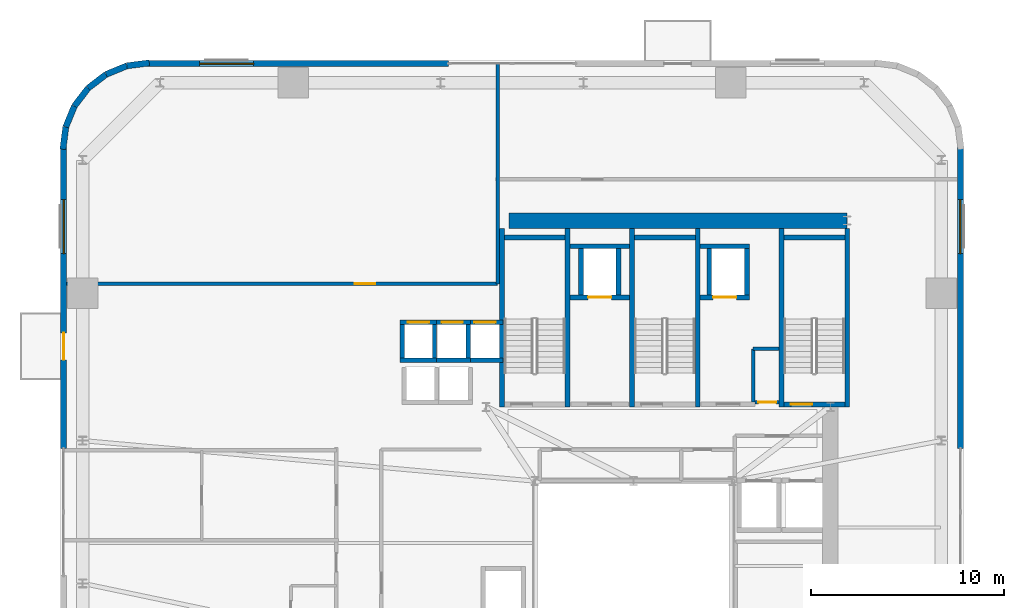
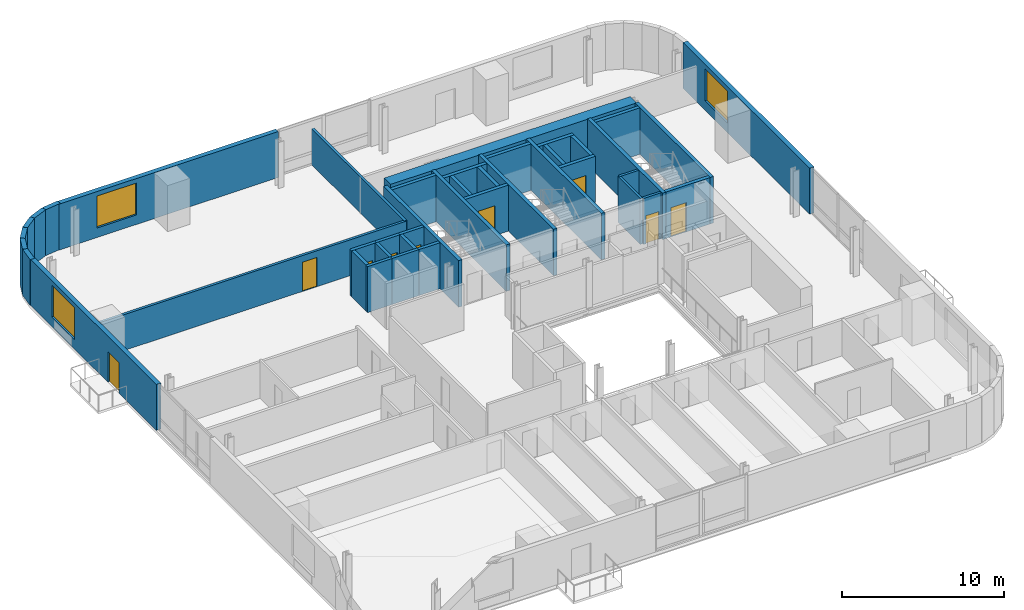
# One storey, part 8 of 14: 42 walls, 9 doors, 3 windows, 12 openings.
"""IFC4 building model written with IfcOpenShell, lengths in metres."""

import ifcopenshell
import ifcopenshell.guid

model = None  # the IFC model being written
_history = None  # IfcOwnerHistory: only IFC2X3 demands one
_inside = {}  # id of a spatial element -> (the spatial element, [elements in it])
_under = {}  # id of a project, library or spatial element -> (it, [spatial elements below it])
_declared = {}  # id of a project -> (the project, [libraries it declares])
_typed = {}  # id of a type object -> (the type object, [elements of that type])
_made_of = {}  # id of a material, layer set ... -> (it, [elements and type objects made of it])


def new_model(schema):
    """Start an empty IFC model of exactly this schema.

    Asked for "IFC4X3", IfcOpenShell would pick the latest addendum, in which some entities
    have other attributes; the version numbers below select the first issue.
    IFC2X3 requires an IfcOwnerHistory on every rooted entity: one is made here for all.
    """
    global model, _history
    if schema == "IFC4X3":
        model = ifcopenshell.file(schema_version=(4, 3, 0, 0))
    else:
        model = ifcopenshell.file(schema=schema)
    _inside.clear()
    _under.clear()
    _declared.clear()
    _typed.clear()
    _made_of.clear()
    _history = None
    if model.schema == "IFC2X3":
        org = make("IfcOrganization", Name="unknown")
        user = make(
            "IfcPersonAndOrganization",
            ThePerson=make("IfcPerson", FamilyName="unknown"),
            TheOrganization=org,
        )
        app = make(
            "IfcApplication",
            ApplicationDeveloper=org,
            Version="unknown",
            ApplicationFullName="unknown",
            ApplicationIdentifier="unknown",
        )
        _history = make(
            "IfcOwnerHistory",
            OwningUser=user,
            OwningApplication=app,
            ChangeAction="ADDED",
            CreationDate=0,
        )
    return model


def make(cls, **values):
    """One entity of the class cls with the attributes given. An attribute that is None is left unset."""
    return model.create_entity(
        cls, **{name: value for name, value in values.items() if value is not None}
    )


def rooted(cls, **values):
    """An entity with a GlobalId (a new one), such as an element, a storey or a relation."""
    return make(cls, GlobalId=ifcopenshell.guid.new(), OwnerHistory=_history, **values)


def si_unit(unit_type, name, prefix=None):
    """IfcSIUnit, for example si_unit("LENGTHUNIT", "METRE", prefix="MILLI")."""
    return make("IfcSIUnit", UnitType=unit_type, Prefix=prefix, Name=name)


def assignment(units):
    """IfcUnitAssignment: the units of a project."""
    return None if units is None else make("IfcUnitAssignment", Units=units)


def point(xyz):
    """IfcCartesianPoint."""
    return None if xyz is None else make("IfcCartesianPoint", Coordinates=xyz)


def direction(xyz):
    """IfcDirection."""
    return None if xyz is None else make("IfcDirection", DirectionRatios=xyz)


def frame(location, z_axis=None, x_axis=None):
    """IfcAxis2Placement3D, a coordinate frame: its origin and axes. An axis left out is left unset."""
    return make(
        "IfcAxis2Placement3D",
        Location=point(location),
        Axis=direction(z_axis),
        RefDirection=direction(x_axis),
    )


def frame_2d(location, x_axis=None):
    """IfcAxis2Placement2D, a coordinate frame in the plane: its origin and x axis."""
    return make(
        "IfcAxis2Placement2D", Location=point(location), RefDirection=direction(x_axis)
    )


def origin():
    """The frame at (0, 0, 0) with its axes left unset."""
    return frame((0.0, 0.0, 0.0))


def place(relative_to, where):
    """IfcLocalPlacement: puts the frame where relative to a parent placement (None: the world)."""
    return make(
        "IfcLocalPlacement", PlacementRelTo=relative_to, RelativePlacement=where
    )


def context(
    kind, dimensions, precision=None, world=None, true_north=None, identifier=None
):
    """IfcGeometricRepresentationContext, for example the 3D "Model" context."""
    return make(
        "IfcGeometricRepresentationContext",
        ContextIdentifier=identifier,
        ContextType=kind,
        CoordinateSpaceDimension=dimensions,
        Precision=precision,
        WorldCoordinateSystem=world,
        TrueNorth=true_north,
    )


def subcontext(parent, identifier, kind, view, scale=None):
    """IfcGeometricRepresentationSubContext, for example "Body" below "Model"."""
    return make(
        "IfcGeometricRepresentationSubContext",
        ContextIdentifier=identifier,
        ContextType=kind,
        ParentContext=parent,
        TargetScale=scale,
        TargetView=view,
    )


def project(units=None, contexts=None):
    """IfcProject with its units and contexts."""
    return rooted(
        "IfcProject",
        Name="project",
        RepresentationContexts=contexts,
        UnitsInContext=assignment(units),
    )


def spatial(cls, under=None, at=None, **own):
    """A site, building, storey or space (cls), placed at a placement, below another one or the project."""
    s = rooted(cls, ObjectPlacement=at, **own)
    if under is not None:
        _under.setdefault(under.id(), (under, []))[1].append(s)
    return s


def profile(cls, at=None, kind="AREA", **sizes):
    """A parametric profile (cls). Its sizes go by their IFC names, for example OverallWidth=200.0."""
    return make(cls, ProfileType=kind, Position=at, **sizes)


def rectangle(**sizes):
    """IfcRectangleProfileDef."""
    return profile("IfcRectangleProfileDef", **sizes)


def extrude(swept, where, along, depth):
    """IfcExtrudedAreaSolid: the profile swept, set in the frame where, extruded along a direction by depth."""
    return make(
        "IfcExtrudedAreaSolid",
        SweptArea=swept,
        Position=where,
        ExtrudedDirection=direction(along),
        Depth=depth,
    )


def shape(context_of_items, identifier, shape_type, items):
    """IfcShapeRepresentation: the items that make up one representation, for example the "Body"."""
    return make(
        "IfcShapeRepresentation",
        ContextOfItems=context_of_items,
        RepresentationIdentifier=identifier,
        RepresentationType=shape_type,
        Items=items,
    )


def source(mapping_origin, context_of_items, identifier, shape_type, items):
    """IfcRepresentationMap: a shape defined once, which mapped items show again and again."""
    return make(
        "IfcRepresentationMap",
        MappingOrigin=mapping_origin,
        MappedRepresentation=shape(context_of_items, identifier, shape_type, items),
    )


def transform(
    local_origin,
    x_axis=None,
    y_axis=None,
    z_axis=None,
    scale=None,
    scale2=None,
    scale3=None,
    uniform=True,
):
    """IfcCartesianTransformationOperator3D, or its non-uniform kind. x_axis, y_axis, z_axis: its Axis1, 2, 3."""
    if uniform:
        return make(
            "IfcCartesianTransformationOperator3D",
            Axis1=direction(x_axis),
            Axis2=direction(y_axis),
            LocalOrigin=point(local_origin),
            Scale=scale,
            Axis3=direction(z_axis),
        )
    return make(
        "IfcCartesianTransformationOperator3DnonUniform",
        Axis1=direction(x_axis),
        Axis2=direction(y_axis),
        LocalOrigin=point(local_origin),
        Scale=scale,
        Axis3=direction(z_axis),
        Scale2=scale2,
        Scale3=scale3,
    )


def mapped(mapping_source, mapping_target):
    """IfcMappedItem: shows the shape of a source again, moved by a transform."""
    return make(
        "IfcMappedItem", MappingSource=mapping_source, MappingTarget=mapping_target
    )


def material(Name=None, Category=None):
    """IfcMaterial."""
    return make("IfcMaterial", Name=Name, Category=Category)


def layer(
    of_material, thickness, ventilated=None, Name=None, Category=None, Priority=None
):
    """IfcMaterialLayer: one layer of a wall or slab, of a material (None: an air gap)."""
    return make(
        "IfcMaterialLayer",
        Material=of_material,
        LayerThickness=thickness,
        IsVentilated=ventilated,
        Name=Name,
        Category=Category,
        Priority=Priority,
    )


def layer_set(layers, Name=None):
    """IfcMaterialLayerSet."""
    return make("IfcMaterialLayerSet", MaterialLayers=layers, LayerSetName=Name)


def made_of(thing, what):
    """Note that an element or type object is made of a material, layer set ...; save() writes the relation."""
    if what is not None:
        _made_of.setdefault(what.id(), (what, []))[1].append(thing)
    return thing


def type_object(cls, material=None, **own):
    """A type object (cls), such as IfcWallType, which elements share."""
    return made_of(rooted(cls, **own), material)


def element(
    cls,
    number,
    at=None,
    inside=None,
    cuts=None,
    type_object=None,
    material=None,
    context=None,
    identifier="Body",
    shape_type=None,
    held_by="IfcProductDefinitionShape",
    body=None,
    shapes=None,
    **own,
):
    """One element of the class cls, such as IfcWall. Its Tag is "e" and its number.

    at: its placement. inside: the storey or other place that contains it. cuts: it is an
    opening in that element (IfcRelVoidsElement). A single representation is given by context,
    identifier, shape_type and body (its items); several are given by shapes. held_by: the class
    of the entity that holds the representations. save() writes the other relations.
    """
    e = rooted(cls, Tag="e%d" % number, ObjectPlacement=at, **own)
    if body is not None:
        shapes = [shape(context, identifier, shape_type, body)]
    if shapes is not None:
        e.Representation = make(held_by, Representations=shapes)
    if inside is not None:
        _inside.setdefault(inside.id(), (inside, []))[1].append(e)
    if cuts is not None:
        rooted(
            "IfcRelVoidsElement", RelatingBuildingElement=cuts, RelatedOpeningElement=e
        )
    if type_object is not None:
        _typed.setdefault(type_object.id(), (type_object, []))[1].append(e)
    return made_of(e, material)


def fill(opening, filler):
    """IfcRelFillsElement: the door or window that sits in an opening."""
    return rooted(
        "IfcRelFillsElement",
        RelatingOpeningElement=opening,
        RelatedBuildingElement=filler,
    )


def aggregate(whole, parts):
    """IfcRelAggregates: a whole, such as a stair, and the parts it consists of."""
    return rooted("IfcRelAggregates", RelatingObject=whole, RelatedObjects=parts)


def save(model, path):
    """Write the relations noted so far, then the file.

    IfcRelAggregates (storeys below a building ...), IfcRelContainedInSpatialStructure (elements
    in a storey), IfcRelDefinesByType, IfcRelAssociatesMaterial and IfcRelDeclares: one each for
    every whole, place, type object, material and project.
    """
    for whole, parts in _under.values():
        aggregate(whole, parts)
    for where, things in _inside.values():
        rooted(
            "IfcRelContainedInSpatialStructure",
            RelatedElements=things,
            RelatingStructure=where,
        )
    for kind, things in _typed.values():
        rooted("IfcRelDefinesByType", RelatedObjects=things, RelatingType=kind)
    for what, things in _made_of.values():
        rooted("IfcRelAssociatesMaterial", RelatedObjects=things, RelatingMaterial=what)
    for by, libraries in _declared.values():
        rooted("IfcRelDeclares", RelatingContext=by, RelatedDefinitions=libraries)
    model.write(path)


model = new_model("IFC4")

# Units and contexts
model_context = context("Model", 3, precision=1e-05, world=origin(), true_north=direction((0.0, 1.0)))
body_context = subcontext(model_context, "Body", "Model", "MODEL_VIEW")
ifc_project = project(units=[si_unit("LENGTHUNIT", "METRE"), si_unit("AREAUNIT", "SQUARE_METRE"), si_unit("VOLUMEUNIT", "CUBIC_METRE"), si_unit("PLANEANGLEUNIT", "RADIAN"), si_unit("MASSUNIT", "GRAM", prefix="KILO")], contexts=[model_context])

# Site, building, storey
site_placement = place(None, origin())
site = spatial("IfcSite", under=ifc_project, at=site_placement, CompositionType="ELEMENT")
building_placement = place(site_placement, origin())
building = spatial("IfcBuilding", under=site, at=building_placement, Name="Vardaveli Station Tower", CompositionType="ELEMENT")
storey_placement = place(building_placement, frame((0.0, 0.0, 140.89990234375)))
storey = spatial("IfcBuildingStorey", under=building, at=storey_placement, Name="L36", CompositionType="ELEMENT", Elevation=140.89990234375)

# Wall
ifc_material_1 = material(Name="Concrete C50/60", Category="concrete")
ifc_layer_1 = layer(ifc_material_1, 0.800048828125, Name="Concrete C50/60")
ifc_layer_set_1 = layer_set([ifc_layer_1], Name="Concrete C50/60")
wall_type_1 = type_object("IfcWallType", Name="WAL-CORE-800", PredefinedType="SHEAR", material=ifc_layer_set_1)
shared_shape_1 = source(origin(), body_context, "Body", "SweptSolid", [
    extrude(rectangle(XDim=17.52001953125, YDim=0.800048828125, at=frame_2d((8.760009765625, 0.0))), origin(), (0.0, 0.0, 1.0), 3.460205078125),
])
wall_1_placement = place(storey_placement, frame((29.85009765625, 40.300048828125, 0.0), z_axis=(0.0, 0.0, 1.0), x_axis=(1.0, 0.0, 0.0)))
element("IfcWall", 1, at=wall_1_placement, inside=storey, type_object=wall_type_1, Name="SW-L36-NORTH", PredefinedType="SHEAR", context=body_context, shape_type="MappedRepresentation", body=[
    mapped(shared_shape_1, transform((0.0, 0.0, 0.0), scale=1.0)),
])

# Wall, opening, window
ifc_material_2 = material(Name="Precast concrete C45/55", Category="concrete")
ifc_layer_2 = layer(ifc_material_2, 0.320068359375, Name="Precast concrete C45/55")
ifc_layer_set_2 = layer_set([ifc_layer_2], Name="Precast concrete C45/55")
wall_type_2 = type_object("IfcWallType", Name="WAL-EXT-STONE-320", PredefinedType="SOLIDWALL", material=ifc_layer_set_2)
shared_shape_2 = source(origin(), body_context, "Body", "SweptSolid", [
    extrude(rectangle(XDim=15.599853515625, YDim=0.320068359375, at=frame_2d((7.7998046875, 0.0))), origin(), (0.0, 0.0, 1.0), 3.460205078125),
])
wall_2_placement = place(storey_placement, frame((26.699951171875, 48.43994140625, 0.0), z_axis=(0.0, 0.0, 1.0), x_axis=(-1.0, 0.0, 0.0)))
wall_2 = element("IfcWall", 2, at=wall_2_placement, inside=storey, type_object=wall_type_2, Name="EW-L36-N2", PredefinedType="SOLIDWALL", context=body_context, shape_type="MappedRepresentation", body=[
    mapped(shared_shape_2, transform((0.0, 0.0, 0.0), scale=1.0)),
])
shared_shape_3 = source(origin(), body_context, "Body", "SweptSolid", [
    extrude(rectangle(XDim=2.800048828125, YDim=2.39990234375, at=frame_2d((1.39990234375, 1.199951171875))), frame((0.0, 0.169921875, 0.0), z_axis=(0.0, -1.0, 0.0), x_axis=(1.0, 0.0, 0.0)), (0.0, 0.0, 1.0), 0.340087890625),
])
opening_1_placement = place(wall_2_placement, frame((10.094970703125, 0.0, 0.719970703125)))
opening_1 = element("IfcOpeningElement", 3, at=opening_1_placement, cuts=wall_2, Name="Opening W-04", PredefinedType="OPENING", context=body_context, shape_type="MappedRepresentation", body=[
    mapped(shared_shape_3, transform((0.0, 0.0, 0.0), scale=1.0)),
])
ifc_material_3 = material(Name="Low-E solar-control glass", Category="glass")
window_type = type_object("IfcWindowType", Name="WIN-SUITE-2800x2400", PartitioningType="SINGLE_PANEL", PredefinedType="WINDOW", material=ifc_material_3)
shared_shape_4 = source(origin(), body_context, "Body", "SweptSolid", [
    extrude(rectangle(XDim=2.800048828125, YDim=2.39990234375, at=frame_2d((1.39990234375, 1.199951171875))), frame((0.0, 0.030029296875, 0.0), z_axis=(0.0, -1.0, 0.0), x_axis=(1.0, 0.0, 0.0)), (0.0, 0.0, 1.0), 0.06005859375),
])
window_1_placement = place(opening_1_placement, origin())
window_1 = element("IfcWindow", 4, at=window_1_placement, inside=storey, type_object=window_type, Name="WN-L36-N2", OverallHeight=2.39990234375, OverallWidth=2.800048828125, PartitioningType="SINGLE_PANEL", PredefinedType="WINDOW", context=body_context, shape_type="MappedRepresentation", body=[
    mapped(shared_shape_4, transform((0.0, 0.0, 0.0), scale=1.0)),
])
fill(opening_1, window_1)

# Wall, openings, door, window
shared_shape_5 = source(origin(), body_context, "Body", "SweptSolid", [
    extrude(rectangle(XDim=15.60009765625, YDim=0.320068359375, at=frame_2d((7.800048828125, 0.0))), origin(), (0.0, 0.0, 1.0), 3.460205078125),
])
wall_3_placement = place(storey_placement, frame((6.760009765625, 44.10009765625, 0.0), z_axis=(0.0, 0.0, 1.0), x_axis=(0.0, -1.0, 0.0)))
wall_3 = element("IfcWall", 5, at=wall_3_placement, inside=storey, type_object=wall_type_2, Name="EW-L36-W1", PredefinedType="SOLIDWALL", context=body_context, shape_type="MappedRepresentation", body=[
    mapped(shared_shape_5, transform((0.0, 0.0, 0.0), scale=1.0)),
])
shared_shape_6 = source(origin(), body_context, "Body", "SweptSolid", [
    extrude(rectangle(XDim=1.39990234375, YDim=2.300048828125, at=frame_2d((0.699951171875, 1.14990234375))), frame((0.0, 0.169921875, 0.0), z_axis=(0.0, -1.0, 0.0), x_axis=(1.0, 0.0, 0.0)), (0.0, 0.0, 1.0), 0.340087890625),
])
opening_2_placement = place(wall_3_placement, frame((9.6103515625, 0.0, 0.0)))
opening_2 = element("IfcOpeningElement", 6, at=opening_2_placement, cuts=wall_3, Name="Opening D-09", PredefinedType="OPENING", context=body_context, shape_type="MappedRepresentation", body=[
    mapped(shared_shape_6, transform((0.0, 0.0, 0.0), scale=1.0)),
])
opening_3_placement = place(wall_3_placement, frame((2.705078125, 0.0, 0.719970703125)))
opening_3 = element("IfcOpeningElement", 7, at=opening_3_placement, cuts=wall_3, Name="Opening W-04", PredefinedType="OPENING", context=body_context, shape_type="MappedRepresentation", body=[
    mapped(shared_shape_3, transform((0.0, 0.0, 0.0), scale=1.0)),
])
ifc_material_4 = material(Name="Thermally broken aluminium glass", Category="aluminium")
door_type_1 = type_object("IfcDoorType", Name="DR-LOG-1400x2300", OperationType="DOUBLE_DOOR_SLIDING", PredefinedType="DOOR", material=ifc_material_4)
shared_shape_7 = source(origin(), body_context, "Body", "SweptSolid", [
    extrude(rectangle(XDim=1.39990234375, YDim=2.300048828125, at=frame_2d((0.699951171875, 1.14990234375))), frame((0.0, 0.02490234375, 0.0), z_axis=(0.0, -1.0, 0.0), x_axis=(1.0, 0.0, 0.0)), (0.0, 0.0, 1.0), 0.050048828125),
])
door_1_placement = place(opening_2_placement, frame((1.39990234375, 0.0, 0.0), z_axis=(0.0, 0.0, 1.0), x_axis=(-1.0, 0.0, 0.0)))
door_1 = element("IfcDoor", 8, at=door_1_placement, inside=storey, type_object=door_type_1, Name="DLG-L36-W", OperationType="DOUBLE_DOOR_SLIDING", OverallHeight=2.300048828125, OverallWidth=1.39990234375, PredefinedType="DOOR", context=body_context, shape_type="MappedRepresentation", body=[
    mapped(shared_shape_7, transform((0.0, 0.0, 0.0), scale=1.0)),
])
fill(opening_2, door_1)
window_2_placement = place(opening_3_placement, origin())
window_2 = element("IfcWindow", 9, at=window_2_placement, inside=storey, type_object=window_type, Name="WN-L36-W1", OverallHeight=2.39990234375, OverallWidth=2.800048828125, PartitioningType="SINGLE_PANEL", PredefinedType="WINDOW", context=body_context, shape_type="MappedRepresentation", body=[
    mapped(shared_shape_4, transform((0.0, 0.0, 0.0), scale=1.0)),
])
fill(opening_3, window_2)

# Wall, opening, window
wall_4_placement = place(storey_placement, frame((53.239990234375, 28.5, 0.0), z_axis=(0.0, 0.0, 1.0), x_axis=(0.0, 1.0, 0.0)))
wall_4 = element("IfcWall", 10, at=wall_4_placement, inside=storey, type_object=wall_type_2, Name="EW-L36-E2", PredefinedType="SOLIDWALL", context=body_context, shape_type="MappedRepresentation", body=[
    mapped(shared_shape_5, transform((0.0, 0.0, 0.0), scale=1.0)),
])
opening_4_placement = place(wall_4_placement, frame((10.094970703125, 0.0, 0.719970703125)))
opening_4 = element("IfcOpeningElement", 11, at=opening_4_placement, cuts=wall_4, Name="Opening W-04", PredefinedType="OPENING", context=body_context, shape_type="MappedRepresentation", body=[
    mapped(shared_shape_3, transform((0.0, 0.0, 0.0), scale=1.0)),
])
window_3_placement = place(opening_4_placement, origin())
window_3 = element("IfcWindow", 12, at=window_3_placement, inside=storey, type_object=window_type, Name="WN-L36-E2", OverallHeight=2.39990234375, OverallWidth=2.800048828125, PartitioningType="SINGLE_PANEL", PredefinedType="WINDOW", context=body_context, shape_type="MappedRepresentation", body=[
    mapped(shared_shape_4, transform((0.0, 0.0, 0.0), scale=1.0)),
])
fill(opening_4, window_3)

# Walls
shared_shape_8 = source(origin(), body_context, "Body", "SweptSolid", [
    extrude(rectangle(XDim=1.1689453125, YDim=0.320068359375, at=frame_2d((0.58447265625, 0.0))), origin(), (0.0, 0.0, 1.0), 3.460205078125),
])
wall_5_placement = place(storey_placement, frame((8.03125, 47.1689453125, 0.0), z_axis=(0.0, 0.0, 1.0), x_axis=(-0.608387696831, -0.793639975269, 0.0)))
element("IfcWall", 13, at=wall_5_placement, inside=storey, type_object=wall_type_2, Name="EW-L36-CR4-4", PredefinedType="SOLIDWALL", context=body_context, shape_type="MappedRepresentation", body=[
    mapped(shared_shape_8, transform((0.0, 0.0, 0.0), scale=1.0)),
])
shared_shape_9 = source(origin(), body_context, "Body", "SweptSolid", [
    extrude(rectangle(XDim=1.168701171875, YDim=0.320068359375, at=frame_2d((0.58447265625, 0.0))), origin(), (0.0, 0.0, 1.0), 3.460205078125),
])
wall_6_placement = place(storey_placement, frame((8.958740234375, 47.8798828125, 0.0), z_axis=(0.0, 0.0, 1.0), x_axis=(-0.793663520347, -0.608356981114, 0.0)))
element("IfcWall", 14, at=wall_6_placement, inside=storey, type_object=wall_type_2, Name="EW-L36-CR4-3", PredefinedType="SOLIDWALL", context=body_context, shape_type="MappedRepresentation", body=[
    mapped(shared_shape_9, transform((0.0, 0.0, 0.0), scale=1.0)),
])
shared_shape_10 = source(origin(), body_context, "Body", "SweptSolid", [
    extrude(rectangle(XDim=1.17041015625, YDim=0.320068359375, at=frame_2d((0.585205078125, 0.0))), origin(), (0.0, 0.0, 1.0), 3.460205078125),
])
for number, where, z_axis, x_axis, name in (
    (15, (11.200439453125, 48.4755859375, 0.0), (0.0, 0.0, 1.0), (-0.991735963317, -0.128295670475, 0.0), "EW-L36-CR4-1"),
    (16, (6.87451171875, 45.16015625, 0.0), (0.0, 0.0, 1.0), (-0.128295670475, -0.991735963317, 0.0), "EW-L36-CR4-6"),
):
    element("IfcWall", number, at=place(storey_placement, frame(where, z_axis=z_axis, x_axis=x_axis)), inside=storey, type_object=wall_type_2, Name=name, PredefinedType="SOLIDWALL", context=body_context, shape_type="MappedRepresentation", body=[
        mapped(shared_shape_10, transform((0.0, 0.0, 0.0), scale=1.0)),
    ])
shared_shape_11 = source(origin(), body_context, "Body", "SweptSolid", [
    extrude(rectangle(XDim=1.169189453125, YDim=0.320068359375, at=frame_2d((0.58447265625, 0.0))), origin(), (0.0, 0.0, 1.0), 3.460205078125),
])
for number, where, z_axis, x_axis, name in (
    (17, (10.039794921875, 48.325439453125, 0.0), (0.0, 0.0, 1.0), (-0.924552646638, -0.381054331552, 0.0), "EW-L36-CR4-2"),
    (18, (7.320068359375, 46.2412109375, 0.0), (0.0, 0.0, 1.0), (-0.381054331552, -0.924552646638, 0.0), "EW-L36-CR4-5"),
):
    element("IfcWall", number, at=place(storey_placement, frame(where, z_axis=z_axis, x_axis=x_axis)), inside=storey, type_object=wall_type_2, Name=name, PredefinedType="SOLIDWALL", context=body_context, shape_type="MappedRepresentation", body=[
        mapped(shared_shape_11, transform((0.0, 0.0, 0.0), scale=1.0)),
    ])
ifc_material_5 = material(Name="Concrete C40/50", Category="concrete")
ifc_layer_3 = layer(ifc_material_5, 0.25, Name="Concrete C40/50")
ifc_layer_set_3 = layer_set([ifc_layer_3], Name="Concrete C40/50")
wall_type_3 = type_object("IfcWallType", Name="WAL-SHAFT-250", PredefinedType="SOLIDWALL", material=ifc_layer_set_3)
shared_shape_12 = source(origin(), body_context, "Body", "SweptSolid", [
    extrude(rectangle(XDim=9.25, YDim=0.25, at=frame_2d((4.625, 0.0))), origin(), (0.0, 0.0, 1.0), 3.5),
])
for number, where, z_axis, x_axis, name in (
    (19, (29.47509765625, 30.64990234375, 0.0), (0.0, 0.0, 1.0), (0.0, 1.0, 0.0), "W-L36-ST-1W"),
    (20, (32.875, 30.64990234375, 0.0), (0.0, 0.0, 1.0), (0.0, 1.0, 0.0), "W-L36-ST-1E"),
    (21, (36.22509765625, 30.64990234375, 0.0), (0.0, 0.0, 1.0), (0.0, 1.0, 0.0), "W-L36-ST-2W"),
    (22, (39.625, 30.64990234375, 0.0), (0.0, 0.0, 1.0), (0.0, 1.0, 0.0), "W-L36-ST-2E"),
    (23, (43.97509765625, 30.64990234375, 0.0), (0.0, 0.0, 1.0), (0.0, 1.0, 0.0), "W-L36-ST-3W"),
    (24, (47.375, 30.64990234375, 0.0), (0.0, 0.0, 1.0), (0.0, 1.0, 0.0), "W-L36-ST-3E"),
):
    element("IfcWall", number, at=place(storey_placement, frame(where, z_axis=z_axis, x_axis=x_axis)), inside=storey, type_object=wall_type_3, Name=name, PredefinedType="SOLIDWALL", context=body_context, shape_type="MappedRepresentation", body=[
        mapped(shared_shape_12, transform((0.0, 0.0, 0.0), scale=1.0)),
    ])
shared_shape_13 = source(origin(), body_context, "Body", "SweptSolid", [
    extrude(rectangle(XDim=3.14990234375, YDim=0.25, at=frame_2d((1.574951171875, 0.0))), origin(), (0.0, 0.0, 1.0), 3.5),
])
for number, where, z_axis, x_axis, name in (
    (25, (29.60009765625, 39.425048828125, 0.0), (0.0, 0.0, 1.0), (1.0, 0.0, 0.0), "W-L36-ST-1N"),
    (26, (36.35009765625, 39.425048828125, 0.0), (0.0, 0.0, 1.0), (1.0, 0.0, 0.0), "W-L36-ST-2N"),
    (27, (44.10009765625, 39.425048828125, 0.0), (0.0, 0.0, 1.0), (1.0, 0.0, 0.0), "W-L36-ST-3N"),
):
    element("IfcWall", number, at=place(storey_placement, frame(where, z_axis=z_axis, x_axis=x_axis)), inside=storey, type_object=wall_type_3, Name=name, PredefinedType="SOLIDWALL", context=body_context, shape_type="MappedRepresentation", body=[
        mapped(shared_shape_13, transform((0.0, 0.0, 0.0), scale=1.0)),
    ])

# Wall, opening, door
wall_7_placement = place(storey_placement, frame((44.10009765625, 30.77490234375, 0.0), z_axis=(0.0, 0.0, 1.0), x_axis=(1.0, 0.0, 0.0)))
wall_7 = element("IfcWall", 28, at=wall_7_placement, inside=storey, type_object=wall_type_3, Name="W-L36-ST-3S", PredefinedType="SOLIDWALL", context=body_context, shape_type="MappedRepresentation", body=[
    mapped(shared_shape_13, transform((0.0, 0.0, 0.0), scale=1.0)),
])
shared_shape_14 = source(origin(), body_context, "Body", "SweptSolid", [
    extrude(rectangle(XDim=1.10009765625, YDim=2.199951171875, at=frame_2d((0.550048828125, 1.10009765625))), frame((0.0, 0.135009765625, 0.0), z_axis=(0.0, -1.0, 0.0), x_axis=(1.0, 0.0, 0.0)), (0.0, 0.0, 1.0), 0.27001953125),
])
opening_5_placement = place(wall_7_placement, frame((0.35009765625, 0.0, 0.0)))
opening_5 = element("IfcOpeningElement", 29, at=opening_5_placement, cuts=wall_7, Name="Opening D-04", PredefinedType="OPENING", context=body_context, shape_type="MappedRepresentation", body=[
    mapped(shared_shape_14, transform((0.0, 0.0, 0.0), scale=1.0)),
])
ifc_material_6 = material(Name="Steel smokeproof fire doorset", Category="steel")
door_type_2 = type_object("IfcDoorType", Name="DR-ST-1100x2200", OperationType="NOTDEFINED", PredefinedType="DOOR", material=ifc_material_6)
shared_shape_15 = source(origin(), body_context, "Body", "SweptSolid", [
    extrude(rectangle(XDim=1.10009765625, YDim=2.199951171875, at=frame_2d((0.550048828125, 1.10009765625))), frame((0.0, 0.02490234375, 0.0), z_axis=(0.0, -1.0, 0.0), x_axis=(1.0, 0.0, 0.0)), (0.0, 0.0, 1.0), 0.050048828125),
])
door_2_placement = place(opening_5_placement, origin())
door_2 = element("IfcDoor", 30, at=door_2_placement, inside=storey, type_object=door_type_2, Name="DST-3-L36", OperationType="SINGLE_SWING_LEFT", OverallHeight=2.199951171875, OverallWidth=1.10009765625, PredefinedType="DOOR", context=body_context, shape_type="MappedRepresentation", body=[
    mapped(shared_shape_15, transform((0.0, 0.0, 0.0), scale=1.0)),
])
fill(opening_5, door_2)

# Wall
ifc_layer_4 = layer(ifc_material_5, 0.219970703125, Name="Concrete C40/50")
ifc_layer_set_4 = layer_set([ifc_layer_4], Name="Concrete C40/50")
wall_type_4 = type_object("IfcWallType", Name="WAL-FFLOBBY-220", PredefinedType="SOLIDWALL", material=ifc_layer_set_4)
shared_shape_16 = source(origin(), body_context, "Body", "SweptSolid", [
    extrude(rectangle(XDim=1.889892578125, YDim=0.219970703125, at=frame_2d((0.94482421875, 0.0))), origin(), (0.0, 0.0, 1.0), 3.460205078125),
])
wall_8_placement = place(storey_placement, frame((24.205078125, 33.06494140625, 0.0), z_axis=(0.0, 0.0, 1.0), x_axis=(1.0, 0.0, 0.0)))
element("IfcWall", 31, at=wall_8_placement, inside=storey, type_object=wall_type_4, Name="SHW-HL2-01-L36-S", PredefinedType="SOLIDWALL", context=body_context, shape_type="MappedRepresentation", body=[
    mapped(shared_shape_16, transform((0.0, 0.0, 0.0), scale=1.0)),
])

# Wall, opening, door
wall_9_placement = place(storey_placement, frame((24.205078125, 35.034912109375, 0.0), z_axis=(0.0, 0.0, 1.0), x_axis=(1.0, 0.0, 0.0)))
wall_9 = element("IfcWall", 32, at=wall_9_placement, inside=storey, type_object=wall_type_4, Name="SHW-HL2-01-L36-N", PredefinedType="SOLIDWALL", context=body_context, shape_type="MappedRepresentation", body=[
    mapped(shared_shape_16, transform((0.0, 0.0, 0.0), scale=1.0)),
])
shared_shape_17 = source(origin(), body_context, "Body", "SweptSolid", [
    extrude(rectangle(XDim=1.10009765625, YDim=2.199951171875, at=frame_2d((0.550048828125, 1.10009765625))), frame((0.0, 0.1201171875, 0.0), z_axis=(0.0, -1.0, 0.0), x_axis=(1.0, 0.0, 0.0)), (0.0, 0.0, 1.0), 0.239990234375),
])
opening_6_placement = place(wall_9_placement, frame((0.39501953125, 0.0, 0.0)))
opening_6 = element("IfcOpeningElement", 33, at=opening_6_placement, cuts=wall_9, Name="Opening LD-01", PredefinedType="OPENING", context=body_context, shape_type="MappedRepresentation", body=[
    mapped(shared_shape_17, transform((0.0, 0.0, 0.0), scale=1.0)),
])
ifc_material_7 = material(Name="Brushed stainless steel", Category="steel")
door_type_3 = type_object("IfcDoorType", Name="DR-LD-1100x2200", OperationType="DOUBLE_DOOR_SLIDING", PredefinedType="DOOR", material=ifc_material_7)
door_3_placement = place(opening_6_placement, origin())
door_3 = element("IfcDoor", 34, at=door_3_placement, inside=storey, type_object=door_type_3, Name="LD-HL2-01-L36", OperationType="DOUBLE_DOOR_SLIDING", OverallHeight=2.199951171875, OverallWidth=1.10009765625, PredefinedType="DOOR", context=body_context, shape_type="MappedRepresentation", body=[
    mapped(shared_shape_15, transform((0.0, 0.0, 0.0), scale=1.0)),
])
fill(opening_6, door_3)

# Wall
wall_10_placement = place(storey_placement, frame((25.955078125, 33.06494140625, 0.0), z_axis=(0.0, 0.0, 1.0), x_axis=(1.0, 0.0, 0.0)))
element("IfcWall", 35, at=wall_10_placement, inside=storey, type_object=wall_type_4, Name="SHW-HL2-02-L36-S", PredefinedType="SOLIDWALL", context=body_context, shape_type="MappedRepresentation", body=[
    mapped(shared_shape_16, transform((0.0, 0.0, 0.0), scale=1.0)),
])

# Wall, opening, door
wall_11_placement = place(storey_placement, frame((25.955078125, 35.034912109375, 0.0), z_axis=(0.0, 0.0, 1.0), x_axis=(1.0, 0.0, 0.0)))
wall_11 = element("IfcWall", 36, at=wall_11_placement, inside=storey, type_object=wall_type_4, Name="SHW-HL2-02-L36-N", PredefinedType="SOLIDWALL", context=body_context, shape_type="MappedRepresentation", body=[
    mapped(shared_shape_16, transform((0.0, 0.0, 0.0), scale=1.0)),
])
opening_7_placement = place(wall_11_placement, frame((0.39501953125, 0.0, 0.0)))
opening_7 = element("IfcOpeningElement", 37, at=opening_7_placement, cuts=wall_11, Name="Opening LD-01", PredefinedType="OPENING", context=body_context, shape_type="MappedRepresentation", body=[
    mapped(shared_shape_17, transform((0.0, 0.0, 0.0), scale=1.0)),
])
door_4_placement = place(opening_7_placement, origin())
door_4 = element("IfcDoor", 38, at=door_4_placement, inside=storey, type_object=door_type_3, Name="LD-HL2-02-L36", OperationType="DOUBLE_DOOR_SLIDING", OverallHeight=2.199951171875, OverallWidth=1.10009765625, PredefinedType="DOOR", context=body_context, shape_type="MappedRepresentation", body=[
    mapped(shared_shape_15, transform((0.0, 0.0, 0.0), scale=1.0)),
])
fill(opening_7, door_4)

# Wall
wall_12_placement = place(storey_placement, frame((27.655029296875, 33.06494140625, 0.0), z_axis=(0.0, 0.0, 1.0), x_axis=(1.0, 0.0, 0.0)))
element("IfcWall", 39, at=wall_12_placement, inside=storey, type_object=wall_type_4, Name="SHW-HL2-03-L36-S", PredefinedType="SOLIDWALL", context=body_context, shape_type="MappedRepresentation", body=[
    mapped(shared_shape_16, transform((0.0, 0.0, 0.0), scale=1.0)),
])

# Wall, opening, door
wall_13_placement = place(storey_placement, frame((27.655029296875, 35.034912109375, 0.0), z_axis=(0.0, 0.0, 1.0), x_axis=(1.0, 0.0, 0.0)))
wall_13 = element("IfcWall", 40, at=wall_13_placement, inside=storey, type_object=wall_type_4, Name="SHW-HL2-03-L36-N", PredefinedType="SOLIDWALL", context=body_context, shape_type="MappedRepresentation", body=[
    mapped(shared_shape_16, transform((0.0, 0.0, 0.0), scale=1.0)),
])
opening_8_placement = place(wall_13_placement, frame((0.39501953125, 0.0, 0.0)))
opening_8 = element("IfcOpeningElement", 41, at=opening_8_placement, cuts=wall_13, Name="Opening LD-01", PredefinedType="OPENING", context=body_context, shape_type="MappedRepresentation", body=[
    mapped(shared_shape_17, transform((0.0, 0.0, 0.0), scale=1.0)),
])
door_5_placement = place(opening_8_placement, origin())
door_5 = element("IfcDoor", 42, at=door_5_placement, inside=storey, type_object=door_type_3, Name="LD-HL2-03-L36", OperationType="DOUBLE_DOOR_SLIDING", OverallHeight=2.199951171875, OverallWidth=1.10009765625, PredefinedType="DOOR", context=body_context, shape_type="MappedRepresentation", body=[
    mapped(shared_shape_15, transform((0.0, 0.0, 0.0), scale=1.0)),
])
fill(opening_8, door_5)

# Walls
shared_shape_18 = source(origin(), body_context, "Body", "SweptSolid", [
    extrude(rectangle(XDim=1.75, YDim=0.219970703125, at=frame_2d((0.875, 0.0))), origin(), (0.0, 0.0, 1.0), 3.460205078125),
])
for number, where, z_axis, x_axis, name in (
    (43, (24.31494140625, 33.175048828125, 0.0), (0.0, 0.0, 1.0), (0.0, 1.0, 0.0), "SHW-HL2-01-L36-W"),
    (44, (25.985107421875, 33.175048828125, 0.0), (0.0, 0.0, 1.0), (0.0, 1.0, 0.0), "SHW-HL2-01-L36-E"),
    (45, (27.735107421875, 33.175048828125, 0.0), (0.0, 0.0, 1.0), (0.0, 1.0, 0.0), "SHW-HL2-02-L36-E"),
):
    element("IfcWall", number, at=place(storey_placement, frame(where, z_axis=z_axis, x_axis=x_axis)), inside=storey, type_object=wall_type_4, Name=name, PredefinedType="SOLIDWALL", context=body_context, shape_type="MappedRepresentation", body=[
        mapped(shared_shape_18, transform((0.0, 0.0, 0.0), scale=1.0)),
    ])

# Wall, opening, door
shared_shape_19 = source(origin(), body_context, "Body", "SweptSolid", [
    extrude(rectangle(XDim=3.10009765625, YDim=0.25, at=frame_2d((1.550048828125, 0.0))), origin(), (0.0, 0.0, 1.0), 3.460205078125),
])
wall_14_placement = place(storey_placement, frame((33.0, 36.324951171875, 0.0), z_axis=(0.0, 0.0, 1.0), x_axis=(1.0, 0.0, 0.0)))
wall_14 = element("IfcWall", 46, at=wall_14_placement, inside=storey, type_object=wall_type_3, Name="SHW-FFL-01-L36-S", PredefinedType="SOLIDWALL", context=body_context, shape_type="MappedRepresentation", body=[
    mapped(shared_shape_19, transform((0.0, 0.0, 0.0), scale=1.0)),
])
shared_shape_20 = source(origin(), body_context, "Body", "SweptSolid", [
    extrude(rectangle(XDim=1.199951171875, YDim=2.25, at=frame_2d((0.60009765625, 1.125))), frame((0.0, 0.135009765625, 0.0), z_axis=(0.0, -1.0, 0.0), x_axis=(1.0, 0.0, 0.0)), (0.0, 0.0, 1.0), 0.27001953125),
])
opening_9_placement = place(wall_14_placement, frame((0.949951171875, 0.0, 0.0)))
opening_9 = element("IfcOpeningElement", 47, at=opening_9_placement, cuts=wall_14, Name="Opening LD-02", PredefinedType="OPENING", context=body_context, shape_type="MappedRepresentation", body=[
    mapped(shared_shape_20, transform((0.0, 0.0, 0.0), scale=1.0)),
])
door_type_4 = type_object("IfcDoorType", Name="DR-LD-1200x2250", OperationType="DOUBLE_DOOR_SLIDING", PredefinedType="DOOR", material=ifc_material_7)
shared_shape_21 = source(origin(), body_context, "Body", "SweptSolid", [
    extrude(rectangle(XDim=1.199951171875, YDim=2.25, at=frame_2d((0.60009765625, 1.125))), frame((0.0, 0.02490234375, 0.0), z_axis=(0.0, -1.0, 0.0), x_axis=(1.0, 0.0, 0.0)), (0.0, 0.0, 1.0), 0.050048828125),
])
door_6_placement = place(opening_9_placement, origin())
door_6 = element("IfcDoor", 48, at=door_6_placement, inside=storey, type_object=door_type_4, Name="LD-FFL-01-L36", OperationType="DOUBLE_DOOR_SLIDING", OverallHeight=2.25, OverallWidth=1.199951171875, PredefinedType="DOOR", context=body_context, shape_type="MappedRepresentation", body=[
    mapped(shared_shape_21, transform((0.0, 0.0, 0.0), scale=1.0)),
])
fill(opening_9, door_6)

# Walls
wall_15_placement = place(storey_placement, frame((33.0, 38.97509765625, 0.0), z_axis=(0.0, 0.0, 1.0), x_axis=(1.0, 0.0, 0.0)))
element("IfcWall", 49, at=wall_15_placement, inside=storey, type_object=wall_type_3, Name="SHW-FFL-01-L36-N", PredefinedType="SOLIDWALL", context=body_context, shape_type="MappedRepresentation", body=[
    mapped(shared_shape_19, transform((0.0, 0.0, 0.0), scale=1.0)),
])
shared_shape_22 = source(origin(), body_context, "Body", "SweptSolid", [
    extrude(rectangle(XDim=2.400146484375, YDim=0.25, at=frame_2d((1.2001953125, 0.0))), origin(), (0.0, 0.0, 1.0), 3.460205078125),
])
for number, where, z_axis, x_axis, name in (
    (50, (33.574951171875, 36.449951171875, 0.0), (0.0, 0.0, 1.0), (0.0, 1.0, 0.0), "SHW-FFL-01-L36-W"),
    (51, (35.52490234375, 36.449951171875, 0.0), (0.0, 0.0, 1.0), (0.0, 1.0, 0.0), "SHW-FFL-01-L36-E"),
    (52, (40.22509765625, 36.449951171875, 0.0), (0.0, 0.0, 1.0), (0.0, 1.0, 0.0), "SHW-FFL-02-L36-W"),
    (53, (42.175048828125, 36.449951171875, 0.0), (0.0, 0.0, 1.0), (0.0, 1.0, 0.0), "SHW-FFL-02-L36-E"),
):
    element("IfcWall", number, at=place(storey_placement, frame(where, z_axis=z_axis, x_axis=x_axis)), inside=storey, type_object=wall_type_3, Name=name, PredefinedType="SOLIDWALL", context=body_context, shape_type="MappedRepresentation", body=[
        mapped(shared_shape_22, transform((0.0, 0.0, 0.0), scale=1.0)),
    ])

# Wall, opening, door
shared_shape_23 = source(origin(), body_context, "Body", "SweptSolid", [
    extrude(rectangle(XDim=2.550048828125, YDim=0.25, at=frame_2d((1.27490234375, 0.0))), origin(), (0.0, 0.0, 1.0), 3.460205078125),
])
wall_16_placement = place(storey_placement, frame((39.75, 36.324951171875, 0.0), z_axis=(0.0, 0.0, 1.0), x_axis=(1.0, 0.0, 0.0)))
wall_16 = element("IfcWall", 54, at=wall_16_placement, inside=storey, type_object=wall_type_3, Name="SHW-FFL-02-L36-S", PredefinedType="SOLIDWALL", context=body_context, shape_type="MappedRepresentation", body=[
    mapped(shared_shape_23, transform((0.0, 0.0, 0.0), scale=1.0)),
])
opening_10_placement = place(wall_16_placement, frame((0.675048828125, 0.0, 0.0)))
opening_10 = element("IfcOpeningElement", 55, at=opening_10_placement, cuts=wall_16, Name="Opening LD-02", PredefinedType="OPENING", context=body_context, shape_type="MappedRepresentation", body=[
    mapped(shared_shape_20, transform((0.0, 0.0, 0.0), scale=1.0)),
])
door_7_placement = place(opening_10_placement, origin())
door_7 = element("IfcDoor", 56, at=door_7_placement, inside=storey, type_object=door_type_4, Name="LD-FFL-02-L36", OperationType="DOUBLE_DOOR_SLIDING", OverallHeight=2.25, OverallWidth=1.199951171875, PredefinedType="DOOR", context=body_context, shape_type="MappedRepresentation", body=[
    mapped(shared_shape_21, transform((0.0, 0.0, 0.0), scale=1.0)),
])
fill(opening_10, door_7)

# Wall
wall_17_placement = place(storey_placement, frame((39.75, 38.97509765625, 0.0), z_axis=(0.0, 0.0, 1.0), x_axis=(1.0, 0.0, 0.0)))
element("IfcWall", 57, at=wall_17_placement, inside=storey, type_object=wall_type_3, Name="SHW-FFL-02-L36-N", PredefinedType="SOLIDWALL", context=body_context, shape_type="MappedRepresentation", body=[
    mapped(shared_shape_23, transform((0.0, 0.0, 0.0), scale=1.0)),
])

# Wall, opening, door
ifc_material_8 = material(Name="Fire-rated gypsum stud partition")
ifc_layer_5 = layer(ifc_material_8, 0.179931640625, Name="Fire-rated gypsum stud partition")
ifc_layer_set_5 = layer_set([ifc_layer_5], Name="Fire-rated gypsum stud partition")
wall_type_5 = type_object("IfcWallType", Name="WAL-CORR-180", PredefinedType="PARTITIONING", material=ifc_layer_set_5)
shared_shape_24 = source(origin(), body_context, "Body", "SweptSolid", [
    extrude(rectangle(XDim=22.327880859375, YDim=0.179931640625, at=frame_2d((11.1640625, 0.0))), origin(), (0.0, 0.0, 1.0), 2.7021484375),
])
wall_18_placement = place(storey_placement, frame((6.922119140625, 37.02001953125, 0.0), z_axis=(0.0, 0.0, 1.0), x_axis=(1.0, 0.0, 0.0)))
wall_18 = element("IfcWall", 58, at=wall_18_placement, inside=storey, type_object=wall_type_5, Name="W-L36-CNWS", PredefinedType="PARTITIONING", context=body_context, shape_type="MappedRepresentation", body=[
    mapped(shared_shape_24, transform((0.0, 0.0, 0.0), scale=1.0)),
])
shared_shape_25 = source(origin(), body_context, "Body", "SweptSolid", [
    extrude(rectangle(XDim=1.050048828125, YDim=2.199951171875, at=frame_2d((0.52490234375, 1.10009765625))), frame((0.0, 0.10009765625, 0.0), z_axis=(0.0, -1.0, 0.0), x_axis=(1.0, 0.0, 0.0)), (0.0, 0.0, 1.0), 0.199951171875),
])
opening_11_placement = place(wall_18_placement, frame((14.927978515625, 0.0, 0.0)))
opening_11 = element("IfcOpeningElement", 59, at=opening_11_placement, cuts=wall_18, Name="Opening D-05", PredefinedType="OPENING", context=body_context, shape_type="MappedRepresentation", body=[
    mapped(shared_shape_25, transform((0.0, 0.0, 0.0), scale=1.0)),
])
ifc_material_9 = material(Name="Walnut veneer acoustic fire door")
door_type_5 = type_object("IfcDoorType", Name="DR-SUITE-1050x2200", OperationType="NOTDEFINED", PredefinedType="DOOR", material=ifc_material_9)
shared_shape_26 = source(origin(), body_context, "Body", "SweptSolid", [
    extrude(rectangle(XDim=1.050048828125, YDim=2.199951171875, at=frame_2d((0.52490234375, 1.10009765625))), frame((0.0, 0.02490234375, 0.0), z_axis=(0.0, -1.0, 0.0), x_axis=(1.0, 0.0, 0.0)), (0.0, 0.0, 1.0), 0.050048828125),
])
door_8_placement = place(opening_11_placement, origin())
door_8 = element("IfcDoor", 60, at=door_8_placement, inside=storey, type_object=door_type_5, Name="D-L36-GNW1", OperationType="SINGLE_SWING_LEFT", OverallHeight=2.199951171875, OverallWidth=1.050048828125, PredefinedType="DOOR", context=body_context, shape_type="MappedRepresentation", body=[
    mapped(shared_shape_26, transform((0.0, 0.0, 0.0), scale=1.0)),
])
fill(opening_11, door_8)

# Wall
shared_shape_27 = source(origin(), body_context, "Body", "SweptSolid", [
    extrude(rectangle(XDim=11.449951171875, YDim=0.179931640625, at=frame_2d((5.72509765625, 0.0))), origin(), (0.0, 0.0, 1.0), 2.7021484375),
])
wall_19_placement = place(storey_placement, frame((29.25, 37.02001953125, 0.0), z_axis=(0.0, 0.0, 1.0), x_axis=(0.0, 1.0, 0.0)))
element("IfcWall", 61, at=wall_19_placement, inside=storey, type_object=wall_type_5, Name="W-L36-CNWE", PredefinedType="PARTITIONING", context=body_context, shape_type="MappedRepresentation", body=[
    mapped(shared_shape_27, transform((0.0, 0.0, 0.0), scale=1.0)),
])

# Wall, opening, door
shared_shape_28 = source(origin(), body_context, "Body", "SweptSolid", [
    extrude(rectangle(XDim=1.247802734375, YDim=0.179931640625, at=frame_2d((0.6240234375, 0.0))), origin(), (0.0, 0.0, 1.0), 3.460205078125),
])
wall_20_placement = place(storey_placement, frame((42.60009765625, 30.8798828125, 0.0), z_axis=(0.0, 0.0, 1.0), x_axis=(1.0, 0.0, 0.0)))
wall_20 = element("IfcWall", 62, at=wall_20_placement, inside=storey, type_object=wall_type_5, Name="W-L36-CBS0-S", PredefinedType="PARTITIONING", context=body_context, shape_type="MappedRepresentation", body=[
    mapped(shared_shape_28, transform((0.0, 0.0, 0.0), scale=1.0)),
])
shared_shape_29 = source(origin(), body_context, "Body", "SweptSolid", [
    extrude(rectangle(XDim=0.919921875, YDim=2.10009765625, at=frame_2d((0.4599609375, 1.050048828125))), frame((0.0, 0.10009765625, 0.0), z_axis=(0.0, -1.0, 0.0), x_axis=(1.0, 0.0, 0.0)), (0.0, 0.0, 1.0), 0.199951171875),
])
opening_12_placement = place(wall_20_placement, frame((0.1640625, 0.0, 0.0)))
opening_12 = element("IfcOpeningElement", 63, at=opening_12_placement, cuts=wall_20, Name="Opening D-07", PredefinedType="OPENING", context=body_context, shape_type="MappedRepresentation", body=[
    mapped(shared_shape_29, transform((0.0, 0.0, 0.0), scale=1.0)),
])
ifc_material_10 = material(Name="Moisture-resistant hardwood door", Category="wood")
door_type_6 = type_object("IfcDoorType", Name="DR-WC-920x2100", OperationType="NOTDEFINED", PredefinedType="DOOR", material=ifc_material_10)
shared_shape_30 = source(origin(), body_context, "Body", "SweptSolid", [
    extrude(rectangle(XDim=0.919921875, YDim=2.10009765625, at=frame_2d((0.4599609375, 1.050048828125))), frame((0.0, 0.02490234375, 0.0), z_axis=(0.0, -1.0, 0.0), x_axis=(1.0, 0.0, 0.0)), (0.0, 0.0, 1.0), 0.050048828125),
])
door_9_placement = place(opening_12_placement, origin())
door_9 = element("IfcDoor", 64, at=door_9_placement, inside=storey, type_object=door_type_6, Name="D-L36-CBS0", OperationType="SINGLE_SWING_LEFT", OverallHeight=2.10009765625, OverallWidth=0.919921875, PredefinedType="DOOR", context=body_context, shape_type="MappedRepresentation", body=[
    mapped(shared_shape_30, transform((0.0, 0.0, 0.0), scale=1.0)),
])
fill(opening_12, door_9)

# Walls
shared_shape_31 = source(origin(), body_context, "Body", "SweptSolid", [
    extrude(rectangle(XDim=2.7578125, YDim=0.179931640625, at=frame_2d((1.37890625, 0.0))), origin(), (0.0, 0.0, 1.0), 3.460205078125),
])
wall_21_placement = place(storey_placement, frame((42.5, 30.89208984375, 0.0), z_axis=(0.0, 0.0, 1.0), x_axis=(0.0, 1.0, 0.0)))
element("IfcWall", 65, at=wall_21_placement, inside=storey, type_object=wall_type_5, Name="W-L36-CBS0-W", PredefinedType="PARTITIONING", context=body_context, shape_type="MappedRepresentation", body=[
    mapped(shared_shape_31, transform((0.0, 0.0, 0.0), scale=1.0)),
])
shared_shape_32 = source(origin(), body_context, "Body", "SweptSolid", [
    extrude(rectangle(XDim=1.347900390625, YDim=0.179931640625, at=frame_2d((0.673828125, 0.0))), origin(), (0.0, 0.0, 1.0), 3.460205078125),
])
wall_22_placement = place(storey_placement, frame((42.5, 33.64990234375, 0.0), z_axis=(0.0, 0.0, 1.0), x_axis=(1.0, 0.0, 0.0)))
element("IfcWall", 66, at=wall_22_placement, inside=storey, type_object=wall_type_5, Name="W-L36-CBS0-N", PredefinedType="PARTITIONING", context=body_context, shape_type="MappedRepresentation", body=[
    mapped(shared_shape_32, transform((0.0, 0.0, 0.0), scale=1.0)),
])

save(model, "model.ifc")
